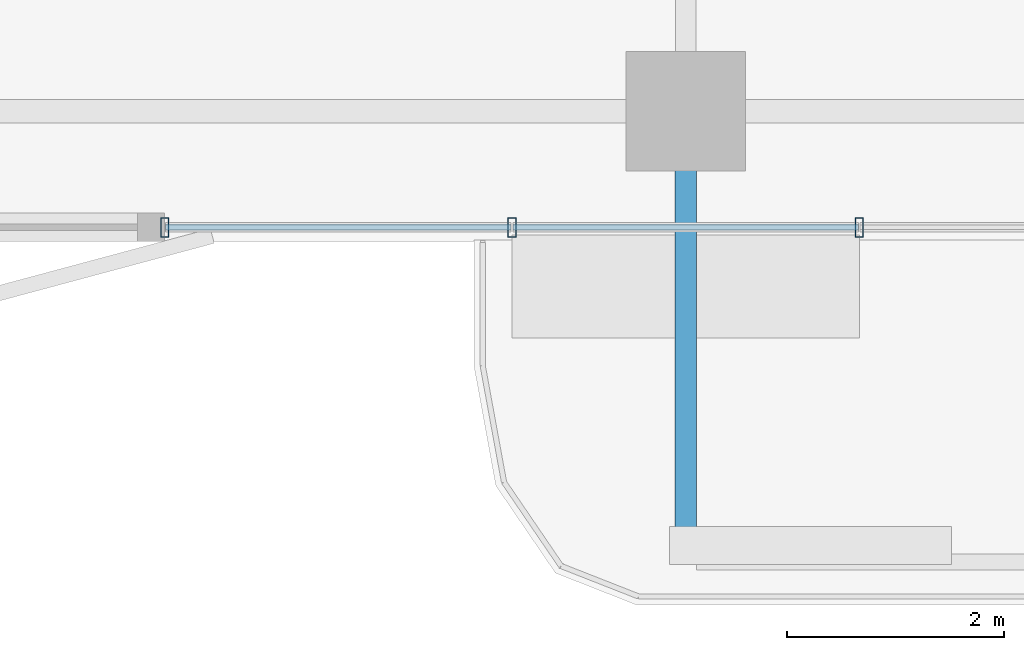
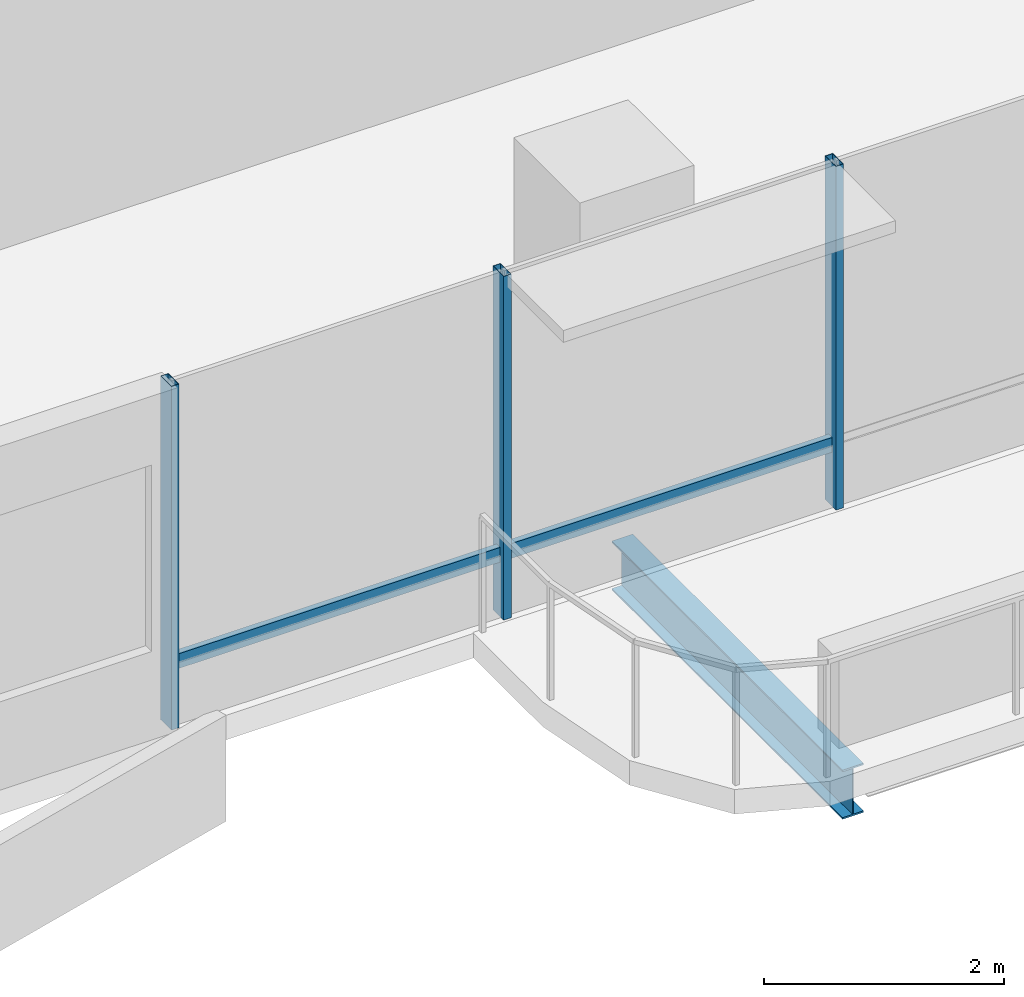
# One storey, part 2 of 24: 5 members, 1 beam, 1 element without a shape of its own.
"""IFC4 building model written with IfcOpenShell, lengths in metres."""

from ifc_helpers import new_model, si_unit, direction, frame, origin, origin_2d, place, context, subcontext, project, spatial, hollow_rectangle, i_section, extrude, material, layer, layer_set, material_profile, profile_set, type_object, element, aggregate, save


model = new_model("IFC4")

# Units and contexts
model_context = context("Model", 3, precision=1e-05, world=origin(), true_north=direction((0.0, 1.0)))
body_context = subcontext(model_context, "Body", "Model", "MODEL_VIEW")
ifc_project = project(units=[si_unit("LENGTHUNIT", "METRE"), si_unit("AREAUNIT", "SQUARE_METRE"), si_unit("VOLUMEUNIT", "CUBIC_METRE"), si_unit("PLANEANGLEUNIT", "RADIAN"), si_unit("MASSUNIT", "GRAM", prefix="KILO")], contexts=[model_context])

# Site, building, storey
site_placement = place(None, origin())
site = spatial("IfcSite", under=ifc_project, at=site_placement, CompositionType="ELEMENT")
building_placement = place(site_placement, origin())
building = spatial("IfcBuilding", under=site, at=building_placement, Name="Belovzor Exchange Tower", CompositionType="ELEMENT")
storey_placement = place(building_placement, frame((0.0, 0.0, 222.449951171875)))
storey = spatial("IfcBuildingStorey", under=building, at=storey_placement, Name="L55", CompositionType="ELEMENT", Elevation=222.449951171875)

# Beam
ifc_material_1 = material(Name="Steel S355", Category="steel")
ifc_material_profile_1 = material_profile(ifc_material_1, i_section(OverallWidth=0.199951171875, OverallDepth=0.5, WebThickness=0.01025390625, FlangeThickness=0.01611328125, at=origin_2d()))
ifc_profile_set_1 = profile_set([ifc_material_profile_1], Name="Steel S355")
beam_type = type_object("IfcBeamType", Name="Planted Balcony Cantilever Beam IPE 500", PredefinedType="BEAM", material=ifc_profile_set_1)
beam_placement = place(storey_placement, frame((28.800048828125, 2.697021484375, -0.5), z_axis=(0.0, -1.0, 0.0), x_axis=(1.0, 0.0, 0.0)))
element("IfcBeam", 1, at=beam_placement, inside=storey, type_object=beam_type, Name="BC-500 Planted Balcony Cantilever Beam IPE 500", PredefinedType="BEAM", context=body_context, shape_type="SweptSolid", body=[
    extrude(i_section(OverallWidth=0.199951171875, OverallDepth=0.5, WebThickness=0.01025390625, FlangeThickness=0.01611328125, at=origin_2d()), origin(), (0.0, 0.0, 1.0), 3.85009765625),
])

# Curtain wall, members
ifc_material_2 = material(Name="Anodised Aluminium Framing", Category="aluminium")
ifc_layer = layer(ifc_material_2, 0.179931640625)
ifc_layer_set = layer_set([ifc_layer], Name="Anodised Aluminium Framing")
curtain_wall_type = type_object("IfcCurtainWallType", Name="Recessed Loggia Low-Iron Triple-Glazed Curtain Wall", PredefinedType="NOTDEFINED", material=ifc_layer_set)
curtain_wall_placement = place(storey_placement, origin())
curtain_wall = element("IfcCurtainWall", 2, at=curtain_wall_placement, inside=storey, type_object=curtain_wall_type, Name="CW3 Recessed Loggia Low-Iron Triple-Glazed Curtain Wall L55", PredefinedType="NOTDEFINED")
ifc_material_3 = material(Name="Steel S355", Category="steel")
ifc_material_profile_2 = material_profile(ifc_material_3, hollow_rectangle(XDim=0.074951171875, YDim=0.179931640625, WallThickness=0.0048828125, at=origin_2d()))
ifc_profile_set_2 = profile_set([ifc_material_profile_2], Name="Steel S355")
member_type_1 = type_object("IfcMemberType", Name="Thermally Broken Curtain Wall Mullion 180x75", PredefinedType="MULLION", material=ifc_profile_set_2)
member_1_placement = place(storey_placement, frame((30.39990234375, 1.929931640625, 0.0), z_axis=(0.0, 0.0, 1.0), x_axis=(-1.0, 0.0, 0.0)))
member_1 = element("IfcMember", 3, at=member_1_placement, type_object=member_type_1, Name="CW-M180 Curtain Wall Mullion 2", PredefinedType="MULLION", context=body_context, shape_type="SweptSolid", body=[
    extrude(hollow_rectangle(XDim=0.074951171875, YDim=0.179931640625, WallThickness=0.0048828125, at=origin_2d()), origin(), (0.0, 0.0, 1.0), 3.5),
])
member_2_placement = place(storey_placement, frame((27.199951171875, 1.929931640625, 0.0), z_axis=(0.0, 0.0, 1.0), x_axis=(-1.0, 0.0, 0.0)))
member_2 = element("IfcMember", 4, at=member_2_placement, type_object=member_type_1, Name="CW-M180 Curtain Wall Mullion 3", PredefinedType="MULLION", context=body_context, shape_type="SweptSolid", body=[
    extrude(hollow_rectangle(XDim=0.074951171875, YDim=0.179931640625, WallThickness=0.0048828125, at=origin_2d()), origin(), (0.0, 0.0, 1.0), 3.5),
])
member_3_placement = place(storey_placement, frame((24.0, 1.929931640625, 0.0), z_axis=(0.0, 0.0, 1.0), x_axis=(-1.0, 0.0, 0.0)))
member_3 = element("IfcMember", 5, at=member_3_placement, type_object=member_type_1, Name="CW-M180 Curtain Wall Mullion 4", PredefinedType="MULLION", context=body_context, shape_type="SweptSolid", body=[
    extrude(hollow_rectangle(XDim=0.074951171875, YDim=0.179931640625, WallThickness=0.0048828125, at=origin_2d()), origin(), (0.0, 0.0, 1.0), 3.5),
])
ifc_material_4 = material(Name="Steel S355", Category="steel")
ifc_material_profile_3 = material_profile(ifc_material_4, hollow_rectangle(XDim=0.06005859375, YDim=0.14990234375, WallThickness=0.00390625, at=origin_2d()))
ifc_profile_set_3 = profile_set([ifc_material_profile_3], Name="Steel S355")
member_type_2 = type_object("IfcMemberType", Name="Thermally Broken Curtain Wall Transom 150x60", PredefinedType="USERDEFINED", material=ifc_profile_set_3)
member_4_placement = place(storey_placement, frame((30.39208984375, 1.929931640625, 0.630126953125), z_axis=(-1.0, 0.0, 0.0), x_axis=(0.0, -1.0, 0.0)))
member_4 = element("IfcMember", 6, at=member_4_placement, type_object=member_type_2, Name="CW-T150 Curtain Wall Transom 2", ObjectType="TRANSOM", PredefinedType="USERDEFINED", context=body_context, shape_type="SweptSolid", body=[
    extrude(hollow_rectangle(XDim=0.06005859375, YDim=0.14990234375, WallThickness=0.00390625, at=origin_2d()), origin(), (0.0, 0.0, 1.0), 3.18408203125),
])
member_5_placement = place(storey_placement, frame((27.19189453125, 1.929931640625, 0.630126953125), z_axis=(-1.0, 0.0, 0.0), x_axis=(0.0, -1.0, 0.0)))
member_5 = element("IfcMember", 7, at=member_5_placement, type_object=member_type_2, Name="CW-T150 Curtain Wall Transom 3", ObjectType="TRANSOM", PredefinedType="USERDEFINED", context=body_context, shape_type="SweptSolid", body=[
    extrude(hollow_rectangle(XDim=0.06005859375, YDim=0.14990234375, WallThickness=0.00390625, at=origin_2d()), origin(), (0.0, 0.0, 1.0), 3.183837890625),
])
aggregate(curtain_wall, [member_1, member_2, member_3, member_4, member_5])

save(model, "model.ifc")
